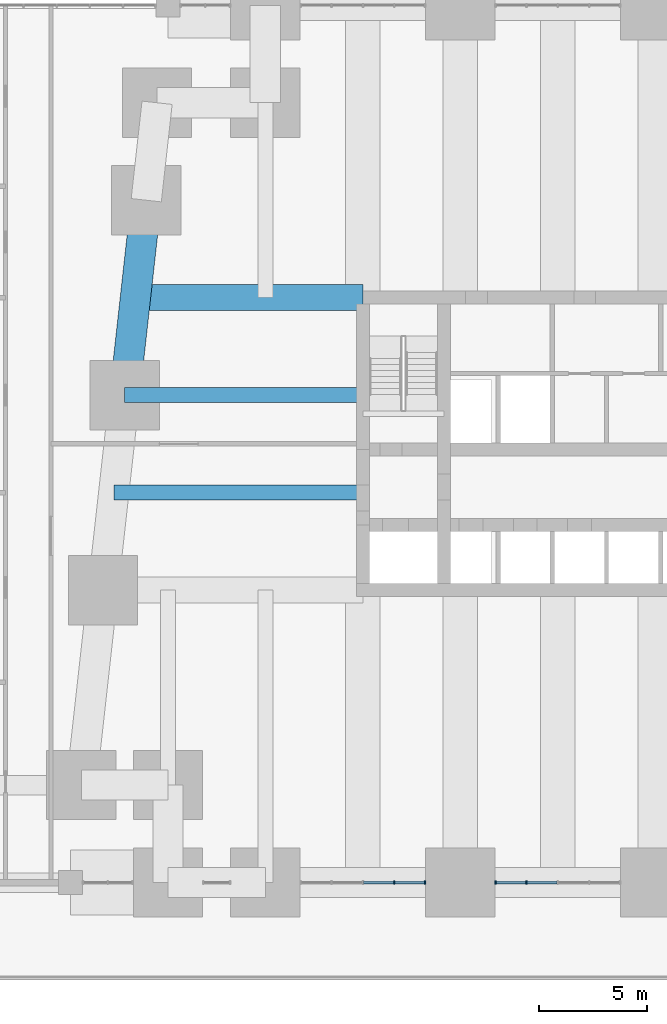
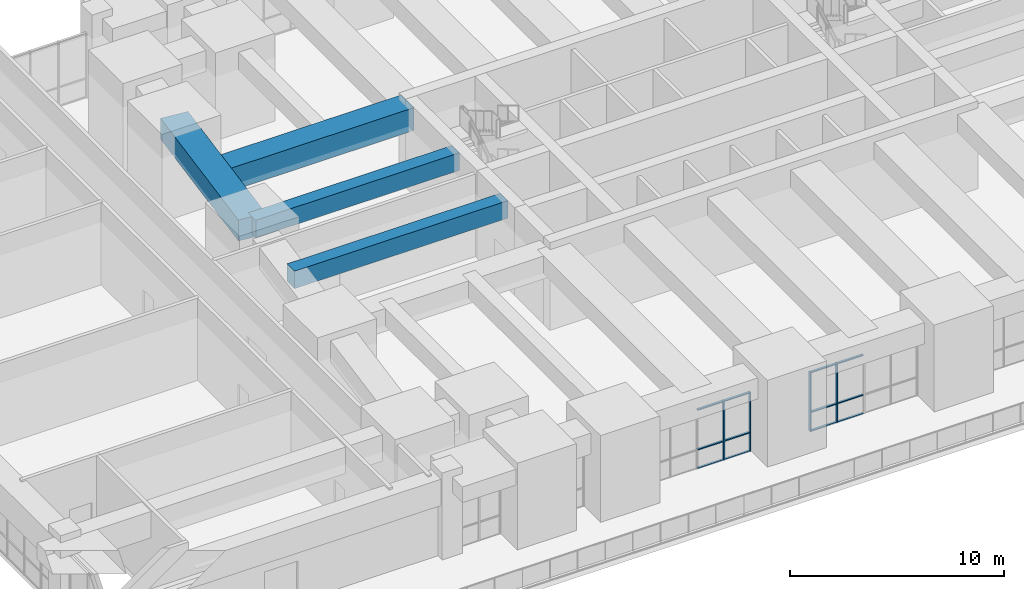
# One storey, part 5 of 22: 16 members, 4 beams, 2 elements without a shape of their own.
"""IFC4 building model written with IfcOpenShell, lengths in metres."""

from ifc_helpers import new_model, si_unit, direction, frame, origin, origin_2d, place, context, subcontext, project, spatial, rectangle, extrude, material, material_profile, profile_set, type_object, element, aggregate, save


model = new_model("IFC4")

# Units and contexts
model_context = context("Model", 3, precision=1e-05, world=origin(), true_north=direction((0.0, 1.0)))
body_context = subcontext(model_context, "Body", "Model", "MODEL_VIEW")
ifc_project = project(units=[si_unit("LENGTHUNIT", "METRE"), si_unit("AREAUNIT", "SQUARE_METRE"), si_unit("VOLUMEUNIT", "CUBIC_METRE"), si_unit("PLANEANGLEUNIT", "RADIAN"), si_unit("MASSUNIT", "GRAM", prefix="KILO")], contexts=[model_context])

# Site, building, storey
site_placement = place(None, origin())
site = spatial("IfcSite", under=ifc_project, at=site_placement, CompositionType="ELEMENT")
building_placement = place(site_placement, origin())
building = spatial("IfcBuilding", under=site, at=building_placement, Name="Kilele Tower Hotel", CompositionType="ELEMENT")
storey_placement = place(building_placement, frame((0.0, 0.0, 19.0)))
storey = spatial("IfcBuildingStorey", under=building, at=storey_placement, Name="L03", CompositionType="ELEMENT", Elevation=19.0)

# Beams
ifc_material_1 = material(Name="Concrete C60/75", Category="concrete")
ifc_material_profile_1 = material_profile(ifc_material_1, rectangle(XDim=0.699951171875, YDim=1.0, at=origin_2d()))
ifc_profile_set_1 = profile_set([ifc_material_profile_1], Name="Concrete C60/75")
beam_type_1 = type_object("IfcBeamType", Name="Beam RC 700x1000 C60/75 mid span", PredefinedType="BEAM", material=ifc_profile_set_1)
beam_1_placement = place(storey_placement, frame((2.5, 22.5, 4.10009765625), z_axis=(1.0, 0.0, 0.0), x_axis=(0.0, 1.0, 0.0)))
element("IfcBeam", 1, at=beam_1_placement, inside=storey, type_object=beam_type_1, Name="Beam B5 level L04", PredefinedType="BEAM", context=body_context, shape_type="SweptSolid", body=[
    extrude(rectangle(XDim=0.699951171875, YDim=1.0, at=origin_2d()), origin(), (0.0, 0.0, 1.0), 11.0),
])
beam_2_placement = place(storey_placement, frame((2.0, 18.0, 4.10009765625), z_axis=(1.0, 0.0, 0.0), x_axis=(0.0, 1.0, 0.0)))
element("IfcBeam", 2, at=beam_2_placement, inside=storey, type_object=beam_type_1, Name="Beam B5 level L04", PredefinedType="BEAM", context=body_context, shape_type="SweptSolid", body=[
    extrude(rectangle(XDim=0.699951171875, YDim=1.0, at=origin_2d()), origin(), (0.0, 0.0, 1.0), 11.5),
])
ifc_material_2 = material(Name="Concrete C60/75", Category="concrete")
ifc_material_profile_2 = material_profile(ifc_material_2, rectangle(XDim=1.199951171875, YDim=1.300048828125, at=origin_2d()))
ifc_profile_set_2 = profile_set([ifc_material_profile_2], Name="Concrete C60/75")
beam_type_2 = type_object("IfcBeamType", Name="Girder RC 1200x1300 C60/75 mid span tie", PredefinedType="BEAM", material=ifc_profile_set_2)
beam_3_placement = place(storey_placement, frame((3.0, 27.0, 3.949951171875), z_axis=(1.0, 0.0, 0.0), x_axis=(0.0, 1.0, 0.0)))
element("IfcBeam", 3, at=beam_3_placement, inside=storey, type_object=beam_type_2, Name="Girder G4 level L04", PredefinedType="BEAM", context=body_context, shape_type="SweptSolid", body=[
    extrude(rectangle(XDim=1.199951171875, YDim=1.300048828125, at=origin_2d()), origin(), (0.0, 0.0, 1.0), 10.5),
])

# Curtain wall, members
ifc_material_3 = material(Name="Aluminium curtain wall, clear double glazing", Category="aluminium")
curtain_wall_type = type_object("IfcCurtainWallType", Name="Podium curtain wall CW-1", PredefinedType="NOTDEFINED", material=ifc_material_3)
curtain_wall_1_placement = place(storey_placement, origin())
curtain_wall_1 = element("IfcCurtainWall", 4, at=curtain_wall_1_placement, inside=storey, type_object=curtain_wall_type, Name="Podium curtain wall CW-1 L03", PredefinedType="NOTDEFINED")
ifc_material_4 = material(Name="Aluminium EN AW-6063 T6", Category="aluminium")
ifc_material_profile_3 = material_profile(ifc_material_4, rectangle(XDim=0.159912109375, YDim=0.06005859375, at=origin_2d()))
ifc_profile_set_3 = profile_set([ifc_material_profile_3], Name="Aluminium EN AW-6063 T6")
member_type_1 = type_object("IfcMemberType", Name="Mullion 60x160 CW-1", PredefinedType="MULLION", material=ifc_profile_set_3)
member_1_placement = place(storey_placement, frame((14.949951171875, 0.0, 0.0), z_axis=(0.0, 0.0, 1.0), x_axis=(0.0, 1.0, 0.0)))
member_1 = element("IfcMember", 5, at=member_1_placement, type_object=member_type_1, Name="CW-1 mullion 4", PredefinedType="MULLION", context=body_context, shape_type="SweptSolid", body=[
    extrude(rectangle(XDim=0.159912109375, YDim=0.06005859375, at=origin_2d()), origin(), (0.0, 0.0, 1.0), 3.39990234375),
])
member_2_placement = place(storey_placement, frame((16.3701171875, 0.0, 0.0), z_axis=(0.0, 0.0, 1.0), x_axis=(0.0, 1.0, 0.0)))
member_2 = element("IfcMember", 6, at=member_2_placement, type_object=member_type_1, Name="CW-1 mullion 5", PredefinedType="MULLION", context=body_context, shape_type="SweptSolid", body=[
    extrude(rectangle(XDim=0.159912109375, YDim=0.06005859375, at=origin_2d()), origin(), (0.0, 0.0, 1.0), 3.39990234375),
])

curtain_wall_2_placement = place(storey_placement, origin())
curtain_wall_2 = element("IfcCurtainWall", 7, at=curtain_wall_2_placement, inside=storey, type_object=curtain_wall_type, Name="Podium curtain wall CW-1 L03", PredefinedType="NOTDEFINED")
member_3_placement = place(storey_placement, frame((19.6298828125, 0.0, 0.0), z_axis=(0.0, 0.0, 1.0), x_axis=(0.0, 1.0, 0.0)))
member_3 = element("IfcMember", 8, at=member_3_placement, type_object=member_type_1, Name="CW-1 mullion 1", PredefinedType="MULLION", context=body_context, shape_type="SweptSolid", body=[
    extrude(rectangle(XDim=0.159912109375, YDim=0.06005859375, at=origin_2d()), origin(), (0.0, 0.0, 1.0), 3.39990234375),
])
member_4_placement = place(storey_placement, frame((21.050048828125, 0.0, 0.0), z_axis=(0.0, 0.0, 1.0), x_axis=(0.0, 1.0, 0.0)))
member_4 = element("IfcMember", 9, at=member_4_placement, type_object=member_type_1, Name="CW-1 mullion 2", PredefinedType="MULLION", context=body_context, shape_type="SweptSolid", body=[
    extrude(rectangle(XDim=0.159912109375, YDim=0.06005859375, at=origin_2d()), origin(), (0.0, 0.0, 1.0), 3.39990234375),
])

# Beam
ifc_material_5 = material(Name="Concrete C60/75", Category="concrete")
ifc_material_profile_4 = material_profile(ifc_material_5, rectangle(XDim=1.39990234375, YDim=1.199951171875, at=origin_2d()))
ifc_profile_set_4 = profile_set([ifc_material_profile_4], Name="Concrete C60/75")
beam_type_3 = type_object("IfcBeamType", Name="Spandrel RC 1400x1200 C60/75", PredefinedType="SPANDREL", material=ifc_profile_set_4)
beam_4_placement = place(storey_placement, frame((3.5, 31.5, 4.0), z_axis=(-0.110431526075, -0.993883734674, 0.0), x_axis=(0.993883734674, -0.110431526075, 0.0)))
element("IfcBeam", 10, at=beam_4_placement, inside=storey, type_object=beam_type_3, Name="Spandrel SP10 level L04", PredefinedType="SPANDREL", context=body_context, shape_type="SweptSolid", body=[
    extrude(rectangle(XDim=1.39990234375, YDim=1.199951171875, at=origin_2d()), origin(), (0.0, 0.0, 1.0), 9.055419921875),
])

# Member
ifc_material_6 = material(Name="Aluminium EN AW-6063 T6", Category="aluminium")
ifc_material_profile_5 = material_profile(ifc_material_6, rectangle(XDim=0.1201171875, YDim=0.06005859375, at=origin_2d()))
ifc_profile_set_5 = profile_set([ifc_material_profile_5], Name="Aluminium EN AW-6063 T6")
member_type_2 = type_object("IfcMemberType", Name="Transom 60x120 CW-1", PredefinedType="USERDEFINED", material=ifc_profile_set_5)
member_5_placement = place(storey_placement, frame((13.530029296875, 0.0, 0.030029296875), z_axis=(1.0, 0.0, 0.0), x_axis=(0.0, 1.0, 0.0)))
member_5 = element("IfcMember", 11, at=member_5_placement, type_object=member_type_2, Name="CW-1 transom 3.1", ObjectType="TRANSOM", PredefinedType="USERDEFINED", context=body_context, shape_type="SweptSolid", body=[
    extrude(rectangle(XDim=0.1201171875, YDim=0.06005859375, at=origin_2d()), origin(), (0.0, 0.0, 1.0), 1.389892578125),
])

member_6_placement = place(storey_placement, frame((13.530029296875, 0.0, 1.10009765625), z_axis=(1.0, 0.0, 0.0), x_axis=(0.0, 1.0, 0.0)))
member_6 = element("IfcMember", 12, at=member_6_placement, type_object=member_type_2, Name="CW-1 transom 3.2", ObjectType="TRANSOM", PredefinedType="USERDEFINED", context=body_context, shape_type="SweptSolid", body=[
    extrude(rectangle(XDim=0.1201171875, YDim=0.06005859375, at=origin_2d()), origin(), (0.0, 0.0, 1.0), 1.389892578125),
])

member_7_placement = place(storey_placement, frame((13.530029296875, 0.0, 3.3701171875), z_axis=(1.0, 0.0, 0.0), x_axis=(0.0, 1.0, 0.0)))
member_7 = element("IfcMember", 13, at=member_7_placement, type_object=member_type_2, Name="CW-1 transom 3.3", ObjectType="TRANSOM", PredefinedType="USERDEFINED", context=body_context, shape_type="SweptSolid", body=[
    extrude(rectangle(XDim=0.1201171875, YDim=0.06005859375, at=origin_2d()), origin(), (0.0, 0.0, 1.0), 1.389892578125),
])

member_8_placement = place(storey_placement, frame((14.97998046875, 0.0, 0.030029296875), z_axis=(1.0, 0.0, 0.0), x_axis=(0.0, 1.0, 0.0)))
member_8 = element("IfcMember", 14, at=member_8_placement, type_object=member_type_2, Name="CW-1 transom 4.1", ObjectType="TRANSOM", PredefinedType="USERDEFINED", context=body_context, shape_type="SweptSolid", body=[
    extrude(rectangle(XDim=0.1201171875, YDim=0.06005859375, at=origin_2d()), origin(), (0.0, 0.0, 1.0), 1.360107421875),
])

member_9_placement = place(storey_placement, frame((14.97998046875, 0.0, 1.10009765625), z_axis=(1.0, 0.0, 0.0), x_axis=(0.0, 1.0, 0.0)))
member_9 = element("IfcMember", 15, at=member_9_placement, type_object=member_type_2, Name="CW-1 transom 4.2", ObjectType="TRANSOM", PredefinedType="USERDEFINED", context=body_context, shape_type="SweptSolid", body=[
    extrude(rectangle(XDim=0.1201171875, YDim=0.06005859375, at=origin_2d()), origin(), (0.0, 0.0, 1.0), 1.360107421875),
])

member_10_placement = place(storey_placement, frame((14.97998046875, 0.0, 3.3701171875), z_axis=(1.0, 0.0, 0.0), x_axis=(0.0, 1.0, 0.0)))
member_10 = element("IfcMember", 16, at=member_10_placement, type_object=member_type_2, Name="CW-1 transom 4.3", ObjectType="TRANSOM", PredefinedType="USERDEFINED", context=body_context, shape_type="SweptSolid", body=[
    extrude(rectangle(XDim=0.1201171875, YDim=0.06005859375, at=origin_2d()), origin(), (0.0, 0.0, 1.0), 1.360107421875),
])

aggregate(curtain_wall_1, [member_1, member_2, member_5, member_6, member_7, member_8, member_9, member_10])

member_11_placement = place(storey_placement, frame((19.659912109375, 0.0, 0.030029296875), z_axis=(1.0, 0.0, 0.0), x_axis=(0.0, 1.0, 0.0)))
member_11 = element("IfcMember", 17, at=member_11_placement, type_object=member_type_2, Name="CW-1 transom 1.1", ObjectType="TRANSOM", PredefinedType="USERDEFINED", context=body_context, shape_type="SweptSolid", body=[
    extrude(rectangle(XDim=0.1201171875, YDim=0.06005859375, at=origin_2d()), origin(), (0.0, 0.0, 1.0), 1.360107421875),
])

member_12_placement = place(storey_placement, frame((19.659912109375, 0.0, 1.10009765625), z_axis=(1.0, 0.0, 0.0), x_axis=(0.0, 1.0, 0.0)))
member_12 = element("IfcMember", 18, at=member_12_placement, type_object=member_type_2, Name="CW-1 transom 1.2", ObjectType="TRANSOM", PredefinedType="USERDEFINED", context=body_context, shape_type="SweptSolid", body=[
    extrude(rectangle(XDim=0.1201171875, YDim=0.06005859375, at=origin_2d()), origin(), (0.0, 0.0, 1.0), 1.360107421875),
])

member_13_placement = place(storey_placement, frame((19.659912109375, 0.0, 3.3701171875), z_axis=(1.0, 0.0, 0.0), x_axis=(0.0, 1.0, 0.0)))
member_13 = element("IfcMember", 19, at=member_13_placement, type_object=member_type_2, Name="CW-1 transom 1.3", ObjectType="TRANSOM", PredefinedType="USERDEFINED", context=body_context, shape_type="SweptSolid", body=[
    extrude(rectangle(XDim=0.1201171875, YDim=0.06005859375, at=origin_2d()), origin(), (0.0, 0.0, 1.0), 1.360107421875),
])

member_14_placement = place(storey_placement, frame((21.080078125, 0.0, 0.030029296875), z_axis=(1.0, 0.0, 0.0), x_axis=(0.0, 1.0, 0.0)))
member_14 = element("IfcMember", 20, at=member_14_placement, type_object=member_type_2, Name="CW-1 transom 2.1", ObjectType="TRANSOM", PredefinedType="USERDEFINED", context=body_context, shape_type="SweptSolid", body=[
    extrude(rectangle(XDim=0.1201171875, YDim=0.06005859375, at=origin_2d()), origin(), (0.0, 0.0, 1.0), 1.389892578125),
])

member_15_placement = place(storey_placement, frame((21.080078125, 0.0, 1.10009765625), z_axis=(1.0, 0.0, 0.0), x_axis=(0.0, 1.0, 0.0)))
member_15 = element("IfcMember", 21, at=member_15_placement, type_object=member_type_2, Name="CW-1 transom 2.2", ObjectType="TRANSOM", PredefinedType="USERDEFINED", context=body_context, shape_type="SweptSolid", body=[
    extrude(rectangle(XDim=0.1201171875, YDim=0.06005859375, at=origin_2d()), origin(), (0.0, 0.0, 1.0), 1.389892578125),
])

member_16_placement = place(storey_placement, frame((21.080078125, 0.0, 3.3701171875), z_axis=(1.0, 0.0, 0.0), x_axis=(0.0, 1.0, 0.0)))
member_16 = element("IfcMember", 22, at=member_16_placement, type_object=member_type_2, Name="CW-1 transom 2.3", ObjectType="TRANSOM", PredefinedType="USERDEFINED", context=body_context, shape_type="SweptSolid", body=[
    extrude(rectangle(XDim=0.1201171875, YDim=0.06005859375, at=origin_2d()), origin(), (0.0, 0.0, 1.0), 1.389892578125),
])

aggregate(curtain_wall_2, [member_3, member_4, member_11, member_12, member_13, member_14, member_15, member_16])

save(model, "model.ifc")
